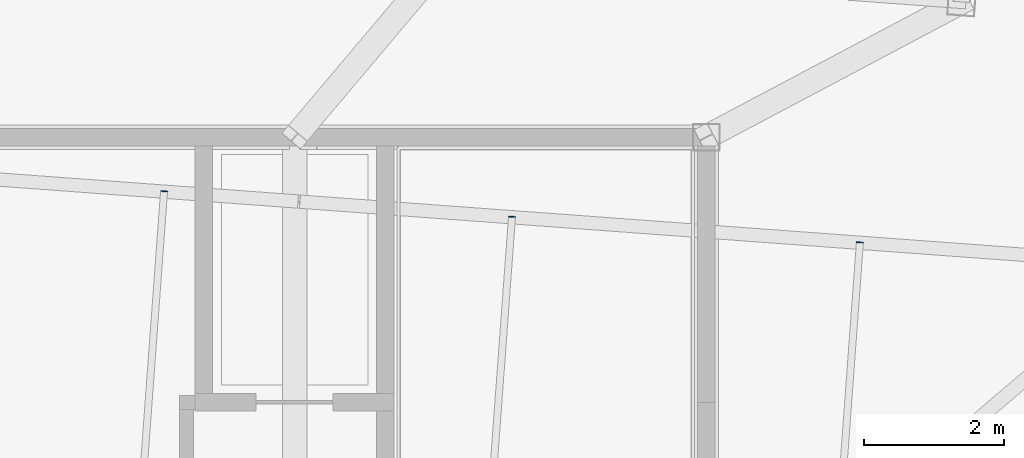
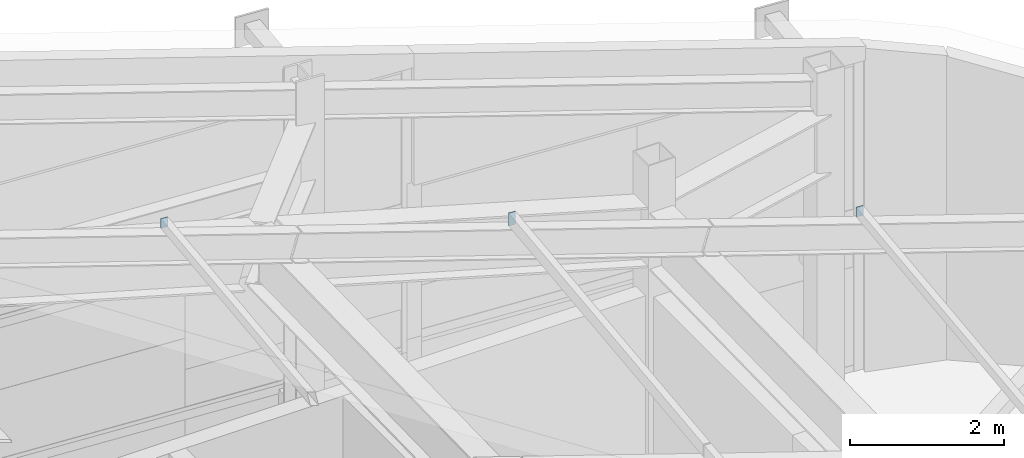
# One storey, part 49 of 56: 3 plates.
"""IFC4 building model written with IfcOpenShell, lengths in metres."""

from ifc_helpers import new_model, si_unit, direction, frame, origin, origin_2d, place, context, subcontext, project, spatial, rectangle, extrude, source, transform, mapped, material, layer, layer_set, type_object, element, save


model = new_model("IFC4")

# Units and contexts
model_context = context("Model", 3, precision=1e-05, world=origin(), true_north=direction((0.0, 1.0)))
body_context = subcontext(model_context, "Body", "Model", "MODEL_VIEW")
ifc_project = project(units=[si_unit("LENGTHUNIT", "METRE"), si_unit("AREAUNIT", "SQUARE_METRE"), si_unit("VOLUMEUNIT", "CUBIC_METRE"), si_unit("PLANEANGLEUNIT", "RADIAN"), si_unit("MASSUNIT", "GRAM", prefix="KILO")], contexts=[model_context])

# Site, building, storey
site_placement = place(None, origin())
site = spatial("IfcSite", under=ifc_project, at=site_placement, CompositionType="ELEMENT")
building_placement = place(site_placement, origin())
building = spatial("IfcBuilding", under=site, at=building_placement, Name="Taldren Reach Tower", CompositionType="ELEMENT")
storey_placement = place(building_placement, frame((0.0, 0.0, 253.050048828125)))
storey = spatial("IfcBuildingStorey", under=building, at=storey_placement, Name="L77", CompositionType="ELEMENT", Elevation=253.050048828125)

# Plates
ifc_material = material(Name="Steel Gr 350 (C350L0)", Category="steel")
ifc_layer_1 = layer(ifc_material, 0.011962890625)
ifc_layer_set_1 = layer_set([ifc_layer_1], Name="Steel Gr 350 (C350L0)")
plate_type_1 = type_object("IfcPlateType", Name="PL-CAP-100X200", PredefinedType="SHEET", material=ifc_layer_set_1)
shared_shape_1 = source(origin(), body_context, "Body", "SweptSolid", [
    extrude(rectangle(XDim=0.10009765625, YDim=0.011962890625, at=origin_2d()), origin(), (0.0, 0.0, 1.0), 0.199951171875),
])
plate_placement = place(storey_placement, frame((48.216552734375, 30.859375, 6.9423828125), z_axis=(0.0, 0.0, 1.0), x_axis=(0.997314477224, -0.073238197128, 0.0)))
element("IfcPlate", 1, at=plate_placement, inside=storey, type_object=plate_type_1, Name="Crown roof purlin end cap plate PR-7.4", PredefinedType="SHEET", context=body_context, shape_type="MappedRepresentation", body=[
    mapped(shared_shape_1, transform((0.0, 0.0, 0.0), scale=1.0)),
])
ifc_layer_2 = layer(ifc_material, 0.011962890625)
ifc_layer_set_2 = layer_set([ifc_layer_2], Name="Steel Gr 350 (C350L0)")
plate_type_2 = type_object("IfcPlateType", Name="PL-CAP-100X150", PredefinedType="SHEET", material=ifc_layer_set_2)
shared_shape_2 = source(origin(), body_context, "Body", "SweptSolid", [
    extrude(rectangle(XDim=0.10009765625, YDim=0.011962890625, at=origin_2d()), origin(), (0.0, 0.0, 1.0), 0.14990234375),
])
for number, where, z_axis, x_axis, name in (
    (2, (43.22998046875, 31.2255859375, 8.427001953125), (0.0, 0.0, 1.0), (0.997314477224, -0.073238197128, 0.0), "Crown roof purlin end cap plate PR-6.4"),
    (3, (53.203125, 30.4931640625, 5.560302734375), (0.0, 0.0, 1.0), (0.997314477224, -0.073238197128, 0.0), "Crown roof purlin end cap plate PR-8.4"),
):
    element("IfcPlate", number, at=place(storey_placement, frame(where, z_axis=z_axis, x_axis=x_axis)), inside=storey, type_object=plate_type_2, Name=name, PredefinedType="SHEET", context=body_context, shape_type="MappedRepresentation", body=[
        mapped(shared_shape_2, transform((0.0, 0.0, 0.0), scale=1.0)),
    ])

save(model, "model.ifc")
